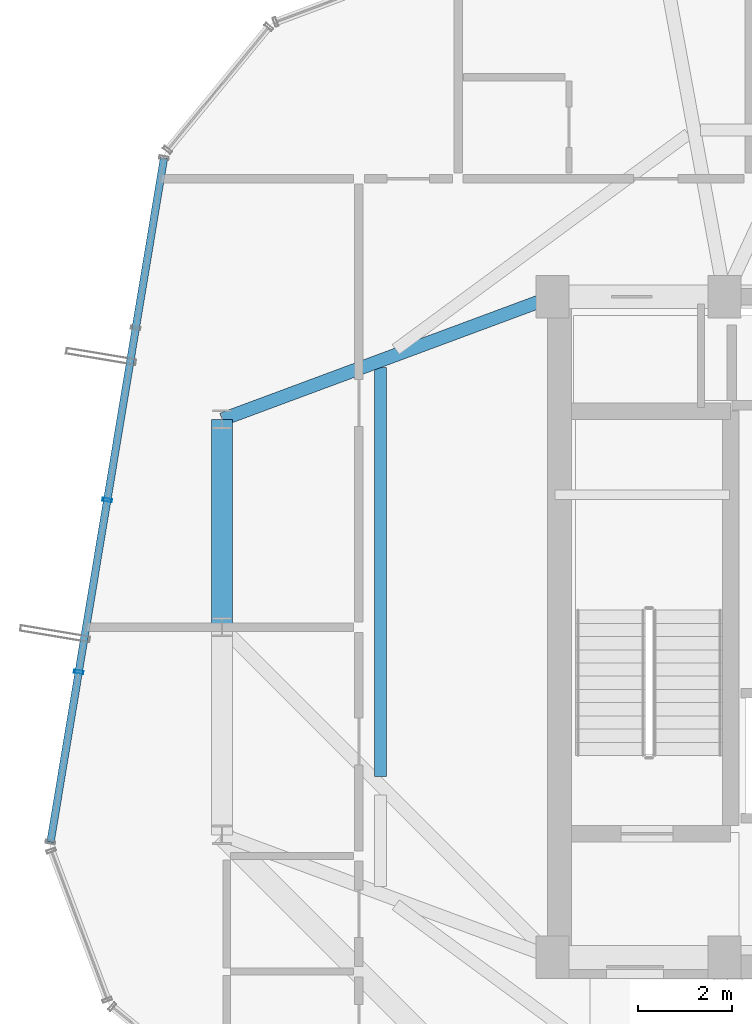
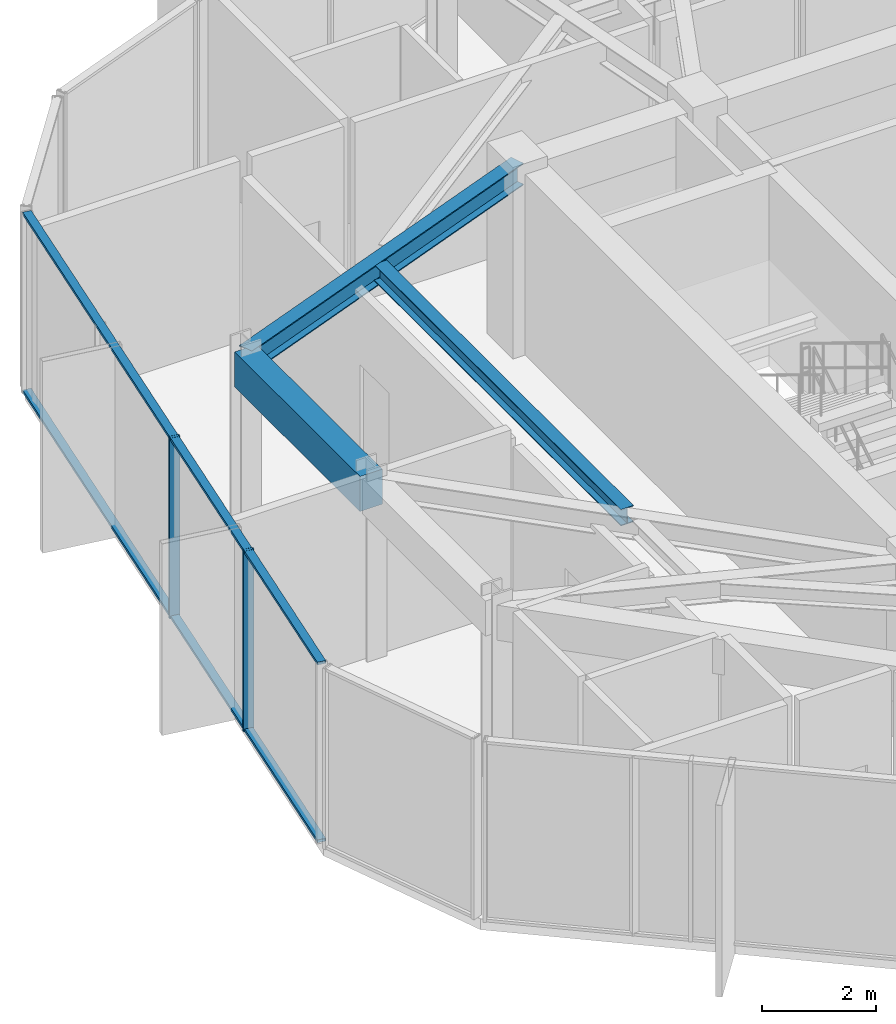
# One storey, part 9 of 22: 4 members, 3 beams, 1 element without a shape of its own.
"""IFC4 building model written with IfcOpenShell, lengths in metres."""

import ifcopenshell
import ifcopenshell.guid

model = None  # the IFC model being written
_history = None  # IfcOwnerHistory: only IFC2X3 demands one
_inside = {}  # id of a spatial element -> (the spatial element, [elements in it])
_under = {}  # id of a project, library or spatial element -> (it, [spatial elements below it])
_declared = {}  # id of a project -> (the project, [libraries it declares])
_typed = {}  # id of a type object -> (the type object, [elements of that type])
_made_of = {}  # id of a material, layer set ... -> (it, [elements and type objects made of it])


def new_model(schema):
    """Start an empty IFC model of exactly this schema.

    Asked for "IFC4X3", IfcOpenShell would pick the latest addendum, in which some entities
    have other attributes; the version numbers below select the first issue.
    IFC2X3 requires an IfcOwnerHistory on every rooted entity: one is made here for all.
    """
    global model, _history
    if schema == "IFC4X3":
        model = ifcopenshell.file(schema_version=(4, 3, 0, 0))
    else:
        model = ifcopenshell.file(schema=schema)
    _inside.clear()
    _under.clear()
    _declared.clear()
    _typed.clear()
    _made_of.clear()
    _history = None
    if model.schema == "IFC2X3":
        org = make("IfcOrganization", Name="unknown")
        user = make(
            "IfcPersonAndOrganization",
            ThePerson=make("IfcPerson", FamilyName="unknown"),
            TheOrganization=org,
        )
        app = make(
            "IfcApplication",
            ApplicationDeveloper=org,
            Version="unknown",
            ApplicationFullName="unknown",
            ApplicationIdentifier="unknown",
        )
        _history = make(
            "IfcOwnerHistory",
            OwningUser=user,
            OwningApplication=app,
            ChangeAction="ADDED",
            CreationDate=0,
        )
    return model


def make(cls, **values):
    """One entity of the class cls with the attributes given. An attribute that is None is left unset."""
    return model.create_entity(
        cls, **{name: value for name, value in values.items() if value is not None}
    )


def rooted(cls, **values):
    """An entity with a GlobalId (a new one), such as an element, a storey or a relation."""
    return make(cls, GlobalId=ifcopenshell.guid.new(), OwnerHistory=_history, **values)


def si_unit(unit_type, name, prefix=None):
    """IfcSIUnit, for example si_unit("LENGTHUNIT", "METRE", prefix="MILLI")."""
    return make("IfcSIUnit", UnitType=unit_type, Prefix=prefix, Name=name)


def assignment(units):
    """IfcUnitAssignment: the units of a project."""
    return None if units is None else make("IfcUnitAssignment", Units=units)


def point(xyz):
    """IfcCartesianPoint."""
    return None if xyz is None else make("IfcCartesianPoint", Coordinates=xyz)


def direction(xyz):
    """IfcDirection."""
    return None if xyz is None else make("IfcDirection", DirectionRatios=xyz)


def frame(location, z_axis=None, x_axis=None):
    """IfcAxis2Placement3D, a coordinate frame: its origin and axes. An axis left out is left unset."""
    return make(
        "IfcAxis2Placement3D",
        Location=point(location),
        Axis=direction(z_axis),
        RefDirection=direction(x_axis),
    )


def frame_2d(location, x_axis=None):
    """IfcAxis2Placement2D, a coordinate frame in the plane: its origin and x axis."""
    return make(
        "IfcAxis2Placement2D", Location=point(location), RefDirection=direction(x_axis)
    )


def origin():
    """The frame at (0, 0, 0) with its axes left unset."""
    return frame((0.0, 0.0, 0.0))


def origin_2d():
    """The frame at (0, 0) in the plane with its x axis left unset."""
    return frame_2d((0.0, 0.0))


def place(relative_to, where):
    """IfcLocalPlacement: puts the frame where relative to a parent placement (None: the world)."""
    return make(
        "IfcLocalPlacement", PlacementRelTo=relative_to, RelativePlacement=where
    )


def context(
    kind, dimensions, precision=None, world=None, true_north=None, identifier=None
):
    """IfcGeometricRepresentationContext, for example the 3D "Model" context."""
    return make(
        "IfcGeometricRepresentationContext",
        ContextIdentifier=identifier,
        ContextType=kind,
        CoordinateSpaceDimension=dimensions,
        Precision=precision,
        WorldCoordinateSystem=world,
        TrueNorth=true_north,
    )


def subcontext(parent, identifier, kind, view, scale=None):
    """IfcGeometricRepresentationSubContext, for example "Body" below "Model"."""
    return make(
        "IfcGeometricRepresentationSubContext",
        ContextIdentifier=identifier,
        ContextType=kind,
        ParentContext=parent,
        TargetScale=scale,
        TargetView=view,
    )


def project(units=None, contexts=None):
    """IfcProject with its units and contexts."""
    return rooted(
        "IfcProject",
        Name="project",
        RepresentationContexts=contexts,
        UnitsInContext=assignment(units),
    )


def spatial(cls, under=None, at=None, **own):
    """A site, building, storey or space (cls), placed at a placement, below another one or the project."""
    s = rooted(cls, ObjectPlacement=at, **own)
    if under is not None:
        _under.setdefault(under.id(), (under, []))[1].append(s)
    return s


def profile(cls, at=None, kind="AREA", **sizes):
    """A parametric profile (cls). Its sizes go by their IFC names, for example OverallWidth=200.0."""
    return make(cls, ProfileType=kind, Position=at, **sizes)


def rectangle(**sizes):
    """IfcRectangleProfileDef."""
    return profile("IfcRectangleProfileDef", **sizes)


def hollow_rectangle(**sizes):
    """IfcRectangleHollowProfileDef."""
    return profile("IfcRectangleHollowProfileDef", **sizes)


def i_section(**sizes):
    """IfcIShapeProfileDef."""
    return profile("IfcIShapeProfileDef", **sizes)


def extrude(swept, where, along, depth):
    """IfcExtrudedAreaSolid: the profile swept, set in the frame where, extruded along a direction by depth."""
    return make(
        "IfcExtrudedAreaSolid",
        SweptArea=swept,
        Position=where,
        ExtrudedDirection=direction(along),
        Depth=depth,
    )


def shape(context_of_items, identifier, shape_type, items):
    """IfcShapeRepresentation: the items that make up one representation, for example the "Body"."""
    return make(
        "IfcShapeRepresentation",
        ContextOfItems=context_of_items,
        RepresentationIdentifier=identifier,
        RepresentationType=shape_type,
        Items=items,
    )


def source(mapping_origin, context_of_items, identifier, shape_type, items):
    """IfcRepresentationMap: a shape defined once, which mapped items show again and again."""
    return make(
        "IfcRepresentationMap",
        MappingOrigin=mapping_origin,
        MappedRepresentation=shape(context_of_items, identifier, shape_type, items),
    )


def transform(
    local_origin,
    x_axis=None,
    y_axis=None,
    z_axis=None,
    scale=None,
    scale2=None,
    scale3=None,
    uniform=True,
):
    """IfcCartesianTransformationOperator3D, or its non-uniform kind. x_axis, y_axis, z_axis: its Axis1, 2, 3."""
    if uniform:
        return make(
            "IfcCartesianTransformationOperator3D",
            Axis1=direction(x_axis),
            Axis2=direction(y_axis),
            LocalOrigin=point(local_origin),
            Scale=scale,
            Axis3=direction(z_axis),
        )
    return make(
        "IfcCartesianTransformationOperator3DnonUniform",
        Axis1=direction(x_axis),
        Axis2=direction(y_axis),
        LocalOrigin=point(local_origin),
        Scale=scale,
        Axis3=direction(z_axis),
        Scale2=scale2,
        Scale3=scale3,
    )


def mapped(mapping_source, mapping_target):
    """IfcMappedItem: shows the shape of a source again, moved by a transform."""
    return make(
        "IfcMappedItem", MappingSource=mapping_source, MappingTarget=mapping_target
    )


def material(Name=None, Category=None):
    """IfcMaterial."""
    return make("IfcMaterial", Name=Name, Category=Category)


def layer(
    of_material, thickness, ventilated=None, Name=None, Category=None, Priority=None
):
    """IfcMaterialLayer: one layer of a wall or slab, of a material (None: an air gap)."""
    return make(
        "IfcMaterialLayer",
        Material=of_material,
        LayerThickness=thickness,
        IsVentilated=ventilated,
        Name=Name,
        Category=Category,
        Priority=Priority,
    )


def layer_set(layers, Name=None):
    """IfcMaterialLayerSet."""
    return make("IfcMaterialLayerSet", MaterialLayers=layers, LayerSetName=Name)


def material_profile(
    of_material, cross_section, Name=None, Category=None, Priority=None
):
    """IfcMaterialProfile: a cross section and its material."""
    return make(
        "IfcMaterialProfile",
        Name=Name,
        Material=of_material,
        Profile=cross_section,
        Priority=Priority,
        Category=Category,
    )


def profile_set(profiles, Name=None, composite=None):
    """IfcMaterialProfileSet."""
    return make(
        "IfcMaterialProfileSet",
        Name=Name,
        MaterialProfiles=profiles,
        CompositeProfile=composite,
    )


def made_of(thing, what):
    """Note that an element or type object is made of a material, layer set ...; save() writes the relation."""
    if what is not None:
        _made_of.setdefault(what.id(), (what, []))[1].append(thing)
    return thing


def type_object(cls, material=None, **own):
    """A type object (cls), such as IfcWallType, which elements share."""
    return made_of(rooted(cls, **own), material)


def element(
    cls,
    number,
    at=None,
    inside=None,
    cuts=None,
    type_object=None,
    material=None,
    context=None,
    identifier="Body",
    shape_type=None,
    held_by="IfcProductDefinitionShape",
    body=None,
    shapes=None,
    **own,
):
    """One element of the class cls, such as IfcWall. Its Tag is "e" and its number.

    at: its placement. inside: the storey or other place that contains it. cuts: it is an
    opening in that element (IfcRelVoidsElement). A single representation is given by context,
    identifier, shape_type and body (its items); several are given by shapes. held_by: the class
    of the entity that holds the representations. save() writes the other relations.
    """
    e = rooted(cls, Tag="e%d" % number, ObjectPlacement=at, **own)
    if body is not None:
        shapes = [shape(context, identifier, shape_type, body)]
    if shapes is not None:
        e.Representation = make(held_by, Representations=shapes)
    if inside is not None:
        _inside.setdefault(inside.id(), (inside, []))[1].append(e)
    if cuts is not None:
        rooted(
            "IfcRelVoidsElement", RelatingBuildingElement=cuts, RelatedOpeningElement=e
        )
    if type_object is not None:
        _typed.setdefault(type_object.id(), (type_object, []))[1].append(e)
    return made_of(e, material)


def aggregate(whole, parts):
    """IfcRelAggregates: a whole, such as a stair, and the parts it consists of."""
    return rooted("IfcRelAggregates", RelatingObject=whole, RelatedObjects=parts)


def save(model, path):
    """Write the relations noted so far, then the file.

    IfcRelAggregates (storeys below a building ...), IfcRelContainedInSpatialStructure (elements
    in a storey), IfcRelDefinesByType, IfcRelAssociatesMaterial and IfcRelDeclares: one each for
    every whole, place, type object, material and project.
    """
    for whole, parts in _under.values():
        aggregate(whole, parts)
    for where, things in _inside.values():
        rooted(
            "IfcRelContainedInSpatialStructure",
            RelatedElements=things,
            RelatingStructure=where,
        )
    for kind, things in _typed.values():
        rooted("IfcRelDefinesByType", RelatedObjects=things, RelatingType=kind)
    for what, things in _made_of.values():
        rooted("IfcRelAssociatesMaterial", RelatedObjects=things, RelatingMaterial=what)
    for by, libraries in _declared.values():
        rooted("IfcRelDeclares", RelatingContext=by, RelatedDefinitions=libraries)
    model.write(path)


model = new_model("IFC4")

# Units and contexts
model_context = context("Model", 3, precision=1e-05, world=origin(), true_north=direction((0.0, 1.0)))
body_context = subcontext(model_context, "Body", "Model", "MODEL_VIEW")
ifc_project = project(units=[si_unit("LENGTHUNIT", "METRE"), si_unit("AREAUNIT", "SQUARE_METRE"), si_unit("VOLUMEUNIT", "CUBIC_METRE"), si_unit("PLANEANGLEUNIT", "RADIAN"), si_unit("MASSUNIT", "GRAM", prefix="KILO")], contexts=[model_context])

# Site, building, storey
site_placement = place(None, origin())
site = spatial("IfcSite", under=ifc_project, at=site_placement, CompositionType="ELEMENT")
building_placement = place(site_placement, origin())
building = spatial("IfcBuilding", under=site, at=building_placement, Name="Veraguas Prism Commons", CompositionType="ELEMENT")
storey_placement = place(building_placement, frame((0.0, 0.0, 240.64990234375)))
storey = spatial("IfcBuildingStorey", under=building, at=storey_placement, Name="L68", CompositionType="ELEMENT", Elevation=240.64990234375)

# Beams
ifc_material_1 = material(Name="Concrete C50/60", Category="concrete")
ifc_material_profile_1 = material_profile(ifc_material_1, rectangle(XDim=0.449951171875, YDim=0.75, at=origin_2d()), Name="RC450X750")
ifc_profile_set_1 = profile_set([ifc_material_profile_1], Name="Concrete C50/60")
beam_type_1 = type_object("IfcBeamType", Name="Perimeter Spandrel Upper RC 450x750", PredefinedType="SPANDREL", material=ifc_profile_set_1)
beam_1_placement = place(storey_placement, frame((10.199951171875, 28.39990234375, 3.489990234375), z_axis=(0.0, -1.0, 0.0), x_axis=(1.0, 0.0, 0.0)))
element("IfcBeam", 1, at=beam_1_placement, inside=storey, type_object=beam_type_1, Name="Perimeter Spandrel Beam L68-SP07", PredefinedType="SPANDREL", context=body_context, shape_type="SweptSolid", body=[
    extrude(rectangle(XDim=0.449951171875, YDim=0.75, at=origin_2d()), origin(), (0.0, 0.0, 1.0), 4.39990234375),
])
ifc_material_2 = material(Name="Steel ASTM A992 Grade 50", Category="steel")
ifc_material_profile_2 = material_profile(ifc_material_2, i_section(OverallWidth=0.25390625, OverallDepth=0.35302734375, WebThickness=0.009521484375, FlangeThickness=0.016357421875, at=origin_2d()), Name="W360X91")
ifc_profile_set_2 = profile_set([ifc_material_profile_2], Name="Steel ASTM A992 Grade 50")
beam_type_2 = type_object("IfcBeamType", Name="Upper Floor Joist W360x91", PredefinedType="JOIST", material=ifc_profile_set_2)
beam_2_placement = place(storey_placement, frame((13.56005859375, 29.499267578125, 3.6884765625), z_axis=(0.0, -1.0, 0.0), x_axis=(1.0, 0.0, 0.0)))
element("IfcBeam", 2, at=beam_2_placement, inside=storey, type_object=beam_type_2, Name="Composite Floor Joist L68-JS07", PredefinedType="JOIST", context=body_context, shape_type="SweptSolid", body=[
    extrude(i_section(OverallWidth=0.25390625, OverallDepth=0.35302734375, WebThickness=0.009521484375, FlangeThickness=0.016357421875, at=origin_2d()), origin(), (0.0, 0.0, 1.0), 8.661865234375),
])
ifc_material_profile_3 = material_profile(ifc_material_2, i_section(OverallWidth=0.282958984375, OverallDepth=0.471923828125, WebThickness=0.013671875, FlangeThickness=0.022216796875, at=origin_2d()), Name="W460X144")
ifc_profile_set_3 = profile_set([ifc_material_profile_3], Name="Steel ASTM A992 Grade 50")
beam_type_3 = type_object("IfcBeamType", Name="Zone 4 Radial Girder W460x144", PredefinedType="BEAM", material=ifc_profile_set_3)
beam_3_placement = place(storey_placement, frame((10.199951171875, 28.39990234375, 3.629150390625), z_axis=(0.937421003341, 0.348198021958, 0.0), x_axis=(-0.348198021958, 0.937421003341, 0.0)))
element("IfcBeam", 3, at=beam_3_placement, inside=storey, type_object=beam_type_3, Name="Radial Floor Girder L68-RD07", PredefinedType="BEAM", context=body_context, shape_type="SweptSolid", body=[
    extrude(i_section(OverallWidth=0.282958984375, OverallDepth=0.471923828125, WebThickness=0.013671875, FlangeThickness=0.022216796875, at=origin_2d()), origin(), (0.0, 0.0, 1.0), 7.46728515625),
])

# Curtain wall, members
ifc_material_3 = material(Name="Anodised aluminium EN AW-6063 T6", Category="aluminium")
ifc_layer = layer(ifc_material_3, 0.199951171875, Name="Sky Lobby and Pool Acoustic Curtain Wall", Category="aluminium")
ifc_layer_set = layer_set([ifc_layer], Name="Anodised aluminium EN AW-6063 T6")
curtain_wall_type = type_object("IfcCurtainWallType", Name="Sky Lobby and Pool Acoustic Curtain Wall", PredefinedType="NOTDEFINED", material=ifc_layer_set)
curtain_wall_placement = place(storey_placement, origin())
curtain_wall = element("IfcCurtainWall", 4, at=curtain_wall_placement, inside=storey, type_object=curtain_wall_type, Name="Tower Facade Curtain Wall L68-F3", PredefinedType="NOTDEFINED")
ifc_material_profile_4 = material_profile(ifc_material_3, hollow_rectangle(XDim=0.06494140625, YDim=0.199951171875, WallThickness=0.00390625, at=origin_2d()), Name="AL65X200X4")
ifc_profile_set_4 = profile_set([ifc_material_profile_4], Name="Anodised aluminium EN AW-6063 T6")
member_type_1 = type_object("IfcMemberType", Name="Curtain Wall Mullion Heavy AL 65x200x4", PredefinedType="MULLION", material=ifc_profile_set_4)
shared_shape_1 = source(origin(), body_context, "Body", "SweptSolid", [
    extrude(hollow_rectangle(XDim=0.06494140625, YDim=0.199951171875, WallThickness=0.00390625, at=origin_2d()), origin(), (0.0, 0.0, 1.0), 3.864990234375),
])
member_1_placement = place(storey_placement, frame((7.767333984375, 26.693115234375, 0.0), z_axis=(0.0, 0.0, 1.0), x_axis=(-0.163670330935, -0.986515089987, 0.0)))
member_1 = element("IfcMember", 5, at=member_1_placement, type_object=member_type_1, Name="CW-SKY Mullion 3", PredefinedType="MULLION", context=body_context, shape_type="MappedRepresentation", body=[
    mapped(shared_shape_1, transform((0.0, 0.0, 0.0), scale=1.0)),
])
member_2_placement = place(storey_placement, frame((7.1630859375, 23.05126953125, 0.0), z_axis=(0.0, 0.0, 1.0), x_axis=(-0.163670330935, -0.986515089987, 0.0)))
member_2 = element("IfcMember", 6, at=member_2_placement, type_object=member_type_1, Name="CW-SKY Mullion 4", PredefinedType="MULLION", context=body_context, shape_type="MappedRepresentation", body=[
    mapped(shared_shape_1, transform((0.0, 0.0, 0.0), scale=1.0)),
])
ifc_material_profile_5 = material_profile(ifc_material_3, hollow_rectangle(XDim=0.06005859375, YDim=0.159912109375, WallThickness=0.0029296875, at=origin_2d()), Name="AL60X160X3")
ifc_profile_set_5 = profile_set([ifc_material_profile_5], Name="Anodised aluminium EN AW-6063 T6")
member_type_2 = type_object("IfcMemberType", Name="Curtain Wall Transom Heavy AL 60x160x3", PredefinedType="USERDEFINED", material=ifc_profile_set_5)
shared_shape_2 = source(origin(), body_context, "Body", "SweptSolid", [
    extrude(hollow_rectangle(XDim=0.06005859375, YDim=0.159912109375, WallThickness=0.0029296875, at=origin_2d()), origin(), (0.0, 0.0, 1.0), 14.701171875),
])
member_3_placement = place(storey_placement, frame((8.970458984375, 33.944580078125, 0.030029296875), z_axis=(-0.163677218114, -0.986513947327, 0.0), x_axis=(0.0, 0.0, 1.0)))
member_3 = element("IfcMember", 7, at=member_3_placement, type_object=member_type_2, Name="CW-SKY Transom 1", ObjectType="TRANSOM", PredefinedType="USERDEFINED", context=body_context, shape_type="MappedRepresentation", body=[
    mapped(shared_shape_2, transform((0.0, 0.0, 0.0), scale=1.0)),
])
member_4_placement = place(storey_placement, frame((8.970458984375, 33.944580078125, 3.835205078125), z_axis=(-0.163677218114, -0.986513947327, 0.0), x_axis=(0.0, 0.0, 1.0)))
member_4 = element("IfcMember", 8, at=member_4_placement, type_object=member_type_2, Name="CW-SKY Transom 2", ObjectType="TRANSOM", PredefinedType="USERDEFINED", context=body_context, shape_type="MappedRepresentation", body=[
    mapped(shared_shape_2, transform((0.0, 0.0, 0.0), scale=1.0)),
])
aggregate(curtain_wall, [member_1, member_2, member_3, member_4])

save(model, "model.ifc")
